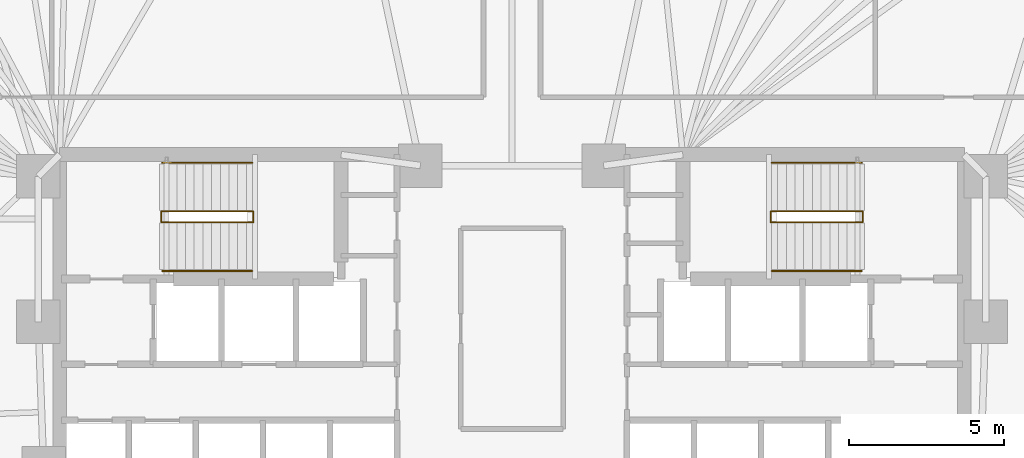
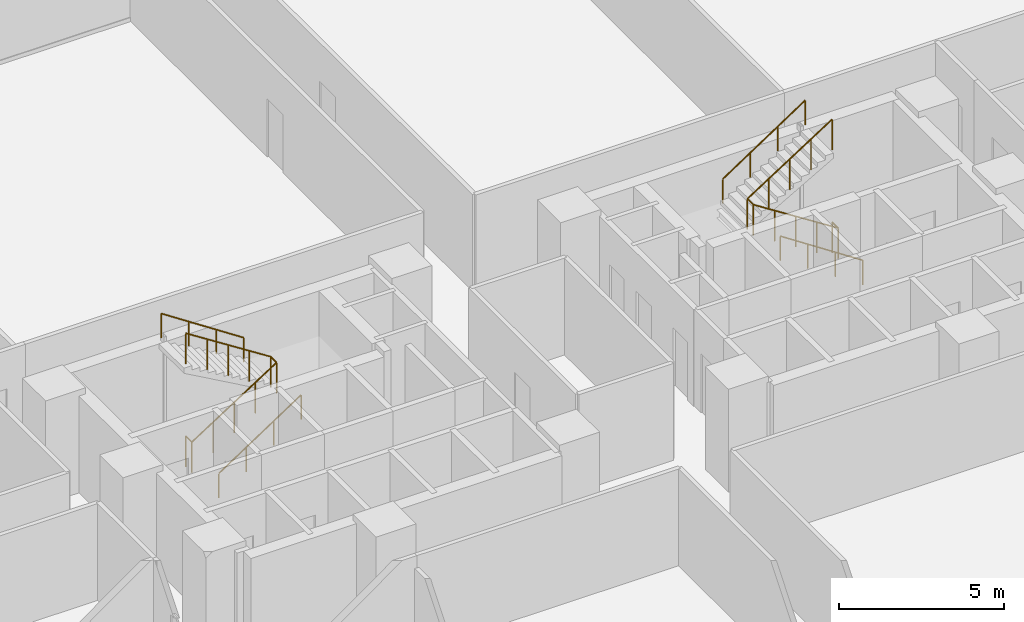
# One storey, part 17 of 17: 6 railings.
"""IFC4 building model written with IfcOpenShell, lengths in metres."""

from ifc_helpers import new_model, si_unit, direction, frame, origin, origin_2d, place, context, subcontext, project, spatial, circle, extrude, material, type_object, element, save


model = new_model("IFC4")

# Units and contexts
model_context = context("Model", 3, precision=1e-05, world=origin(), true_north=direction((0.0, 1.0)))
body_context = subcontext(model_context, "Body", "Model", "MODEL_VIEW")
ifc_project = project(units=[si_unit("LENGTHUNIT", "METRE"), si_unit("AREAUNIT", "SQUARE_METRE"), si_unit("VOLUMEUNIT", "CUBIC_METRE"), si_unit("PLANEANGLEUNIT", "RADIAN"), si_unit("MASSUNIT", "GRAM", prefix="KILO")], contexts=[model_context])

# Site, building, storey
site_placement = place(None, origin())
site = spatial("IfcSite", under=ifc_project, at=site_placement, CompositionType="ELEMENT")
building_placement = place(site_placement, origin())
building = spatial("IfcBuilding", under=site, at=building_placement, Name="Menara Jurai Vektor", CompositionType="ELEMENT")
storey_placement = place(building_placement, frame((0.0, 0.0, 18.0)))
storey = spatial("IfcBuildingStorey", under=building, at=storey_placement, Name="L03", CompositionType="ELEMENT", Elevation=18.0)

# Railings
ifc_material_1 = material(Name="Painted Galvanised Steel Balustrade", Category="steel")
railing_type_1 = type_object("IfcRailingType", Name="RAIL-STAIR-GUARD", PredefinedType="GUARDRAIL", material=ifc_material_1)
railing_1_placement = place(storey_placement, frame((-11.2900390625, 3.780029296875, 0.0)))
element("IfcRailing", 1, at=railing_1_placement, inside=storey, type_object=railing_type_1, Name="ST1 Stair Guardrail 1 L03", PredefinedType="GUARDRAIL", context=body_context, shape_type="SweptSolid", body=[
    extrude(circle(Radius=0.02392578125, at=origin_2d()), frame((0.0, 0.0, 1.1259765625), z_axis=(0.0, -1.0, 0.0), x_axis=(1.0, 0.0, 0.0)), (0.0, 0.0, 1.0), 0.360107421875),
    extrude(circle(Radius=0.02392578125, at=origin_2d()), frame((0.0, -0.360107421875, 1.1259765625), z_axis=(0.841557155905, 0.0, 0.540168078791), x_axis=(0.0, 1.0, 0.0)), (0.0, 0.0, 1.0), 3.517333984375),
    extrude(circle(Radius=0.02392578125, at=origin_2d()), frame((2.9599609375, -0.360107421875, 3.02587890625), z_axis=(0.0, 1.0, 0.0), x_axis=(-1.0, 0.0, 0.0)), (0.0, 0.0, 1.0), 0.360107421875),
    extrude(circle(Radius=0.02392578125, at=origin_2d()), frame((2.9599609375, 0.0, 3.02587890625), z_axis=(-0.841525601958, 0.0, 0.540217235239), x_axis=(0.0, -1.0, 0.0)), (0.0, 0.0, 1.0), 3.517333984375),
    extrude(circle(Radius=0.02099609375, at=origin_2d()), origin(), (0.0, 0.0, 1.0), 1.101806640625),
    extrude(circle(Radius=0.02099609375, at=origin_2d()), frame((0.0, -0.360107421875, 0.0)), (0.0, 0.0, 1.0), 1.101806640625),
    extrude(circle(Radius=0.02099609375, at=origin_2d()), frame((0.739990234375, -0.360107421875, 0.47509765625)), (0.0, 0.0, 1.0), 1.101806640625),
    extrude(circle(Radius=0.02099609375, at=origin_2d()), frame((1.47998046875, -0.360107421875, 0.949951171875)), (0.0, 0.0, 1.0), 1.101806640625),
    extrude(circle(Radius=0.02099609375, at=origin_2d()), frame((2.219970703125, -0.360107421875, 1.4248046875)), (0.0, 0.0, 1.0), 1.101806640625),
    extrude(circle(Radius=0.02099609375, at=origin_2d()), frame((2.9599609375, -0.360107421875, 1.89990234375)), (0.0, 0.0, 1.0), 1.101806640625),
    extrude(circle(Radius=0.02099609375, at=origin_2d()), frame((2.9599609375, 0.0, 1.89990234375)), (0.0, 0.0, 1.0), 1.101806640625),
    extrude(circle(Radius=0.02099609375, at=origin_2d()), frame((2.219970703125, 0.0, 2.375)), (0.0, 0.0, 1.0), 1.101806640625),
    extrude(circle(Radius=0.02099609375, at=origin_2d()), frame((1.47998046875, 0.0, 2.85009765625)), (0.0, 0.0, 1.0), 1.101806640625),
    extrude(circle(Radius=0.02099609375, at=origin_2d()), frame((0.739990234375, 0.0, 3.324951171875)), (0.0, 0.0, 1.0), 1.101806640625),
    extrude(circle(Radius=0.02099609375, at=origin_2d()), frame((0.0, 0.0, 3.800048828125)), (0.0, 0.0, 1.0), 1.101806640625),
])
railing_2_placement = place(storey_placement, frame((11.2900390625, 3.780029296875, 0.0)))
element("IfcRailing", 2, at=railing_2_placement, inside=storey, type_object=railing_type_1, Name="ST2 Stair Guardrail 1 L03", PredefinedType="GUARDRAIL", context=body_context, shape_type="SweptSolid", body=[
    extrude(circle(Radius=0.02392578125, at=origin_2d()), frame((0.0, 0.0, 1.1259765625), z_axis=(0.0, -1.0, 0.0), x_axis=(1.0, 0.0, 0.0)), (0.0, 0.0, 1.0), 0.360107421875),
    extrude(circle(Radius=0.02392578125, at=origin_2d()), frame((0.0, -0.360107421875, 1.1259765625), z_axis=(-0.841557155905, 0.0, 0.540168078791), x_axis=(0.0, -1.0, 0.0)), (0.0, 0.0, 1.0), 3.517333984375),
    extrude(circle(Radius=0.02392578125, at=origin_2d()), frame((-2.9599609375, -0.360107421875, 3.02587890625), z_axis=(0.0, 1.0, 0.0), x_axis=(-1.0, 0.0, 0.0)), (0.0, 0.0, 1.0), 0.360107421875),
    extrude(circle(Radius=0.02392578125, at=origin_2d()), frame((-2.9599609375, 0.0, 3.02587890625), z_axis=(0.841525601958, 0.0, 0.540217235239), x_axis=(0.0, 1.0, 0.0)), (0.0, 0.0, 1.0), 3.517333984375),
    extrude(circle(Radius=0.02099609375, at=origin_2d()), origin(), (0.0, 0.0, 1.0), 1.101806640625),
    extrude(circle(Radius=0.02099609375, at=origin_2d()), frame((0.0, -0.360107421875, 0.0)), (0.0, 0.0, 1.0), 1.101806640625),
    extrude(circle(Radius=0.02099609375, at=origin_2d()), frame((-0.739990234375, -0.360107421875, 0.47509765625)), (0.0, 0.0, 1.0), 1.101806640625),
    extrude(circle(Radius=0.02099609375, at=origin_2d()), frame((-1.47998046875, -0.360107421875, 0.949951171875)), (0.0, 0.0, 1.0), 1.101806640625),
    extrude(circle(Radius=0.02099609375, at=origin_2d()), frame((-2.219970703125, -0.360107421875, 1.4248046875)), (0.0, 0.0, 1.0), 1.101806640625),
    extrude(circle(Radius=0.02099609375, at=origin_2d()), frame((-2.9599609375, -0.360107421875, 1.89990234375)), (0.0, 0.0, 1.0), 1.101806640625),
    extrude(circle(Radius=0.02099609375, at=origin_2d()), frame((-2.9599609375, 0.0, 1.89990234375)), (0.0, 0.0, 1.0), 1.101806640625),
    extrude(circle(Radius=0.02099609375, at=origin_2d()), frame((-2.219970703125, 0.0, 2.375)), (0.0, 0.0, 1.0), 1.101806640625),
    extrude(circle(Radius=0.02099609375, at=origin_2d()), frame((-1.47998046875, 0.0, 2.85009765625)), (0.0, 0.0, 1.0), 1.101806640625),
    extrude(circle(Radius=0.02099609375, at=origin_2d()), frame((-0.739990234375, 0.0, 3.324951171875)), (0.0, 0.0, 1.0), 1.101806640625),
    extrude(circle(Radius=0.02099609375, at=origin_2d()), frame((0.0, 0.0, 3.800048828125)), (0.0, 0.0, 1.0), 1.101806640625),
])
ifc_material_2 = material(Name="Brushed Stainless Steel Handrail", Category="steel")
railing_type_2 = type_object("IfcRailingType", Name="RAIL-STAIR-HAND", PredefinedType="HANDRAIL", material=ifc_material_2)
railing_3_placement = place(storey_placement, frame((-11.25, 1.860107421875, 0.0)))
element("IfcRailing", 3, at=railing_3_placement, inside=storey, type_object=railing_type_2, Name="ST1 Stair Handrail 1 L03", PredefinedType="HANDRAIL", context=body_context, shape_type="SweptSolid", body=[
    extrude(circle(Radius=0.02392578125, at=origin_2d()), frame((0.0, 0.0, 0.89599609375), z_axis=(0.834718698933, 0.0, 0.550676578085), x_axis=(0.0, 1.0, 0.0)), (0.0, 0.0, 1.0), 3.4501953125),
    extrude(circle(Radius=0.02099609375, at=origin_2d()), origin(), (0.0, 0.0, 1.0), 0.871826171875),
    extrude(circle(Radius=0.02099609375, at=origin_2d()), frame((0.9599609375, 0.0, 0.63330078125)), (0.0, 0.0, 1.0), 0.871826171875),
    extrude(circle(Radius=0.02099609375, at=origin_2d()), frame((1.919921875, 0.0, 1.2666015625)), (0.0, 0.0, 1.0), 0.871826171875),
    extrude(circle(Radius=0.02099609375, at=origin_2d()), frame((2.8798828125, 0.0, 1.89990234375)), (0.0, 0.0, 1.0), 0.871826171875),
])
railing_4_placement = place(storey_placement, frame((-8.3701171875, 5.340087890625, 1.89990234375)))
element("IfcRailing", 4, at=railing_4_placement, inside=storey, type_object=railing_type_2, Name="ST1 Stair Handrail 2 L03", PredefinedType="HANDRAIL", context=body_context, shape_type="SweptSolid", body=[
    extrude(circle(Radius=0.02392578125, at=origin_2d()), frame((0.0, 0.0, 0.89599609375), z_axis=(-0.834686171885, 0.0, 0.550725879602), x_axis=(0.0, -1.0, 0.0)), (0.0, 0.0, 1.0), 3.4501953125),
    extrude(circle(Radius=0.02099609375, at=origin_2d()), origin(), (0.0, 0.0, 1.0), 0.871826171875),
    extrude(circle(Radius=0.02099609375, at=origin_2d()), frame((-0.9599609375, 0.0, 0.63330078125)), (0.0, 0.0, 1.0), 0.871826171875),
    extrude(circle(Radius=0.02099609375, at=origin_2d()), frame((-1.919921875, 0.0, 1.266845703125)), (0.0, 0.0, 1.0), 0.871826171875),
    extrude(circle(Radius=0.02099609375, at=origin_2d()), frame((-2.8798828125, 0.0, 1.900146484375)), (0.0, 0.0, 1.0), 0.871826171875),
])
railing_5_placement = place(storey_placement, frame((11.25, 1.860107421875, 0.0)))
element("IfcRailing", 5, at=railing_5_placement, inside=storey, type_object=railing_type_2, Name="ST2 Stair Handrail 1 L03", PredefinedType="HANDRAIL", context=body_context, shape_type="SweptSolid", body=[
    extrude(circle(Radius=0.02392578125, at=origin_2d()), frame((0.0, 0.0, 0.89599609375), z_axis=(-0.834718698933, 0.0, 0.550676578085), x_axis=(0.0, -1.0, 0.0)), (0.0, 0.0, 1.0), 3.4501953125),
    extrude(circle(Radius=0.02099609375, at=origin_2d()), origin(), (0.0, 0.0, 1.0), 0.871826171875),
    extrude(circle(Radius=0.02099609375, at=origin_2d()), frame((-0.9599609375, 0.0, 0.63330078125)), (0.0, 0.0, 1.0), 0.871826171875),
    extrude(circle(Radius=0.02099609375, at=origin_2d()), frame((-1.919921875, 0.0, 1.2666015625)), (0.0, 0.0, 1.0), 0.871826171875),
    extrude(circle(Radius=0.02099609375, at=origin_2d()), frame((-2.8798828125, 0.0, 1.89990234375)), (0.0, 0.0, 1.0), 0.871826171875),
])
railing_6_placement = place(storey_placement, frame((8.3701171875, 5.340087890625, 1.89990234375)))
element("IfcRailing", 6, at=railing_6_placement, inside=storey, type_object=railing_type_2, Name="ST2 Stair Handrail 2 L03", PredefinedType="HANDRAIL", context=body_context, shape_type="SweptSolid", body=[
    extrude(circle(Radius=0.02392578125, at=origin_2d()), frame((0.0, 0.0, 0.89599609375), z_axis=(0.834686171885, 0.0, 0.550725879602), x_axis=(0.0, 1.0, 0.0)), (0.0, 0.0, 1.0), 3.4501953125),
    extrude(circle(Radius=0.02099609375, at=origin_2d()), origin(), (0.0, 0.0, 1.0), 0.871826171875),
    extrude(circle(Radius=0.02099609375, at=origin_2d()), frame((0.9599609375, 0.0, 0.63330078125)), (0.0, 0.0, 1.0), 0.871826171875),
    extrude(circle(Radius=0.02099609375, at=origin_2d()), frame((1.919921875, 0.0, 1.266845703125)), (0.0, 0.0, 1.0), 0.871826171875),
    extrude(circle(Radius=0.02099609375, at=origin_2d()), frame((2.8798828125, 0.0, 1.900146484375)), (0.0, 0.0, 1.0), 0.871826171875),
])

save(model, "model.ifc")
